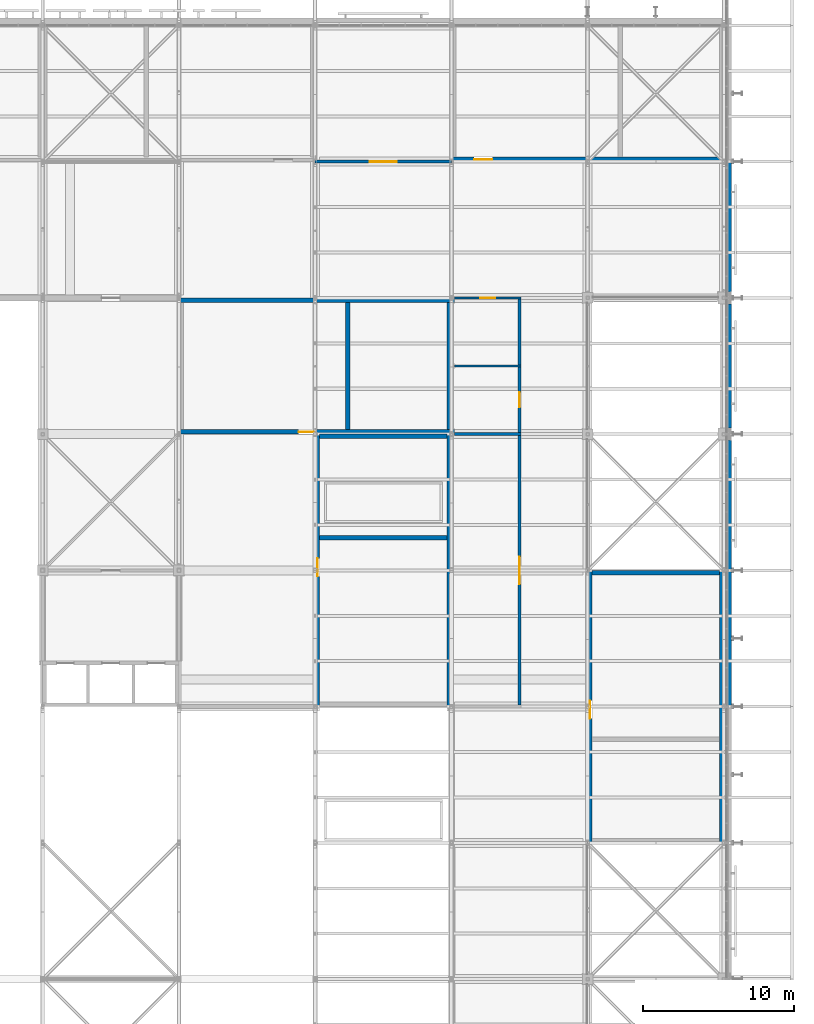
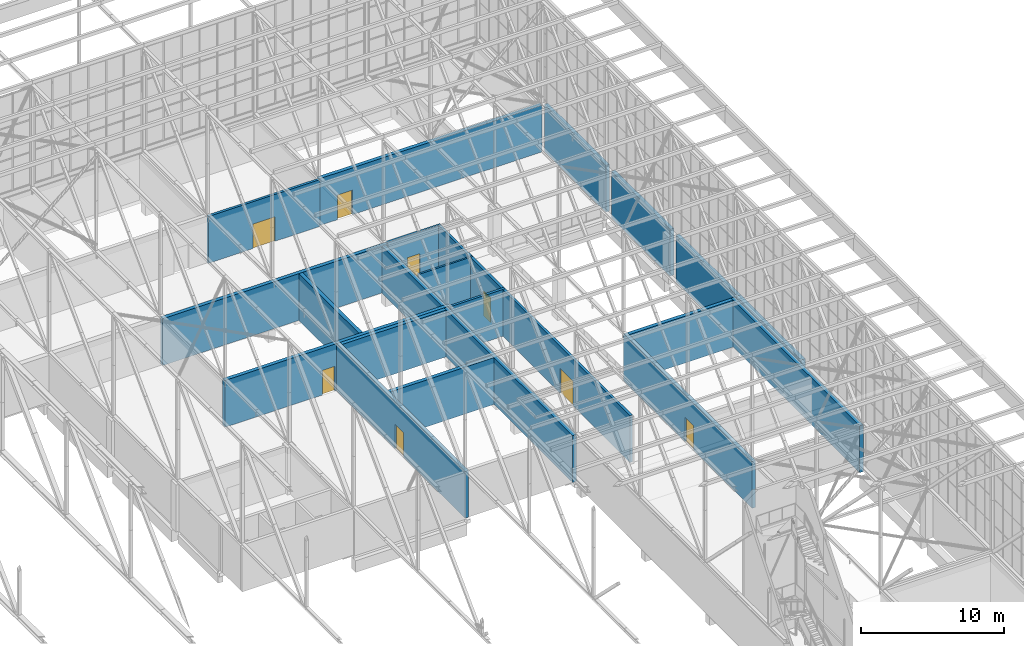
# One storey, part 173 of 646: 23 walls, 8 doors, 8 openings.
"""IFC4 building model written with IfcOpenShell, lengths in metres."""

from ifc_helpers import new_model, si_unit, direction, frame, frame_2d, origin, place, context, subcontext, project, spatial, rectangle, extrude, material, layer, layer_set, type_object, element, fill, save


model = new_model("IFC4")

# Units and contexts
model_context = context("Model", 3, precision=1e-05, world=origin(), true_north=direction((0.0, 1.0)))
body_context = subcontext(model_context, "Body", "Model", "MODEL_VIEW")
ifc_project = project(units=[si_unit("LENGTHUNIT", "METRE"), si_unit("AREAUNIT", "SQUARE_METRE"), si_unit("VOLUMEUNIT", "CUBIC_METRE"), si_unit("PLANEANGLEUNIT", "RADIAN"), si_unit("MASSUNIT", "GRAM", prefix="KILO")], contexts=[model_context])

# Site, building, storey
site_placement = place(None, origin())
site = spatial("IfcSite", under=ifc_project, at=site_placement, CompositionType="ELEMENT")
building_placement = place(site_placement, origin())
building = spatial("IfcBuilding", under=site, at=building_placement, Name="Silverbay Arena", CompositionType="ELEMENT")
storey_placement = place(building_placement, frame((0.0, 0.0, 33.5)))
storey = spatial("IfcBuildingStorey", under=building, at=storey_placement, Name="L05", CompositionType="ELEMENT", Elevation=33.5)

# Walls
ifc_material_1 = material(Name="Anodised aluminium cladding on insulated backing", Category="aluminium")
ifc_layer_1 = layer(ifc_material_1, 0.300048828125)
ifc_layer_set_1 = layer_set([ifc_layer_1], Name="Anodised aluminium cladding on insulated backing")
wall_type_1 = type_object("IfcWallType", Name="Aluminium clad wall 300", PredefinedType="SOLIDWALL", material=ifc_layer_set_1)
wall_1_placement = place(storey_placement, frame((207.35009765625, 108.0, 0.0), z_axis=(0.0, 0.0, 1.0), x_axis=(0.0, 1.0, 0.0)))
element("IfcWall", 1, at=wall_1_placement, inside=storey, type_object=wall_type_1, Name="East external wall L05 bay 11", PredefinedType="SOLIDWALL", context=body_context, shape_type="SweptSolid", body=[
    extrude(rectangle(XDim=8.60009765625, YDim=0.300048828125, at=frame_2d((4.300048828125, 0.0))), origin(), (0.0, 0.0, 1.0), 4.0),
])
wall_2_placement = place(storey_placement, frame((207.35009765625, 117.39990234375, 0.0), z_axis=(0.0, 0.0, 1.0), x_axis=(0.0, 1.0, 0.0)))
element("IfcWall", 2, at=wall_2_placement, inside=storey, type_object=wall_type_1, Name="East external wall L05 bay 12", PredefinedType="SOLIDWALL", context=body_context, shape_type="SweptSolid", body=[
    extrude(rectangle(XDim=8.2001953125, YDim=0.300048828125, at=frame_2d((4.10009765625, 0.0))), origin(), (0.0, 0.0, 1.0), 4.0),
])
wall_3_placement = place(storey_placement, frame((207.35009765625, 126.39990234375, 0.0), z_axis=(0.0, 0.0, 1.0), x_axis=(0.0, 1.0, 0.0)))
element("IfcWall", 3, at=wall_3_placement, inside=storey, type_object=wall_type_1, Name="East external wall L05 bay 13", PredefinedType="SOLIDWALL", context=body_context, shape_type="SweptSolid", body=[
    extrude(rectangle(XDim=8.60009765625, YDim=0.300048828125, at=frame_2d((4.300048828125, 0.0))), origin(), (0.0, 0.0, 1.0), 4.0),
])

# Wall, opening, door
ifc_material_2 = material(Name="Concrete Grade C45", Category="concrete")
ifc_layer_2 = layer(ifc_material_2, 0.300048828125)
ifc_layer_set_2 = layer_set([ifc_layer_2], Name="Concrete Grade C45")
wall_type_2 = type_object("IfcWallType", Name="Core wall RC 300 EI 120", PredefinedType="SHEAR", material=ifc_layer_set_2)
wall_4_placement = place(storey_placement, frame((189.0, 135.14990234375, 0.0), z_axis=(0.0, 0.0, 1.0), x_axis=(1.0, 0.0, 0.0)))
wall_4 = element("IfcWall", 4, at=wall_4_placement, inside=storey, type_object=wall_type_2, Name="Core wall ST-N6 L05 door side", PredefinedType="SHEAR", context=body_context, shape_type="SweptSolid", body=[
    extrude(rectangle(XDim=18.0, YDim=0.300048828125, at=frame_2d((9.0, 0.0))), origin(), (0.0, 0.0, 1.0), 4.0),
])
opening_1_placement = place(wall_4_placement, frame((1.5, 0.0, 0.0)))
opening_1 = element("IfcOpeningElement", 5, at=opening_1_placement, cuts=wall_4, Name="Opening L05-038", PredefinedType="OPENING", context=body_context, shape_type="SweptSolid", body=[
    extrude(rectangle(XDim=1.199951171875, YDim=2.10009765625, at=frame_2d((0.60009765625, 1.050048828125))), frame((0.0, 0.16015625, 0.0), z_axis=(0.0, -1.0, 0.0), x_axis=(1.0, 0.0, 0.0)), (0.0, 0.0, 1.0), 0.320068359375),
])
ifc_material_3 = material(Name="Steel fire door", Category="steel")
door_type_1 = type_object("IfcDoorType", Name="Stair door 1200 x 2100 fire door", OperationType="SINGLE_SWING_LEFT", PredefinedType="DOOR", material=ifc_material_3)
door_1_placement = place(opening_1_placement, origin())
door_1 = element("IfcDoor", 6, at=door_1_placement, inside=storey, type_object=door_type_1, Name="Stair door ST-N6 L05", OperationType="SINGLE_SWING_LEFT", OverallHeight=2.10009765625, OverallWidth=1.199951171875, PredefinedType="DOOR", context=body_context, shape_type="SweptSolid", body=[
    extrude(rectangle(XDim=1.199951171875, YDim=2.10009765625, at=frame_2d((0.60009765625, 1.050048828125))), frame((0.0, 0.02490234375, 0.0), z_axis=(0.0, -1.0, 0.0), x_axis=(1.0, 0.0, 0.0)), (0.0, 0.0, 1.0), 0.050048828125),
])
fill(opening_1, door_1)

wall_5_placement = place(storey_placement, frame((198.14990234375, 108.0, 0.0), z_axis=(0.0, 0.0, 1.0), x_axis=(0.0, -1.0, 0.0)))
wall_5 = element("IfcWall", 7, at=wall_5_placement, inside=storey, type_object=wall_type_2, Name="Core wall ST-E2 L05 door side", PredefinedType="SHEAR", context=body_context, shape_type="SweptSolid", body=[
    extrude(rectangle(XDim=18.0, YDim=0.300048828125, at=frame_2d((9.0, 0.0))), origin(), (0.0, 0.0, 1.0), 4.0),
])
opening_2_placement = place(wall_5_placement, frame((8.60009765625, 0.0, 0.0)))
opening_2 = element("IfcOpeningElement", 8, at=opening_2_placement, cuts=wall_5, Name="Opening L05-042", PredefinedType="OPENING", context=body_context, shape_type="SweptSolid", body=[
    extrude(rectangle(XDim=1.199951171875, YDim=2.10009765625, at=frame_2d((0.60009765625, 1.050048828125))), frame((0.0, 0.16015625, 0.0), z_axis=(0.0, -1.0, 0.0), x_axis=(1.0, 0.0, 0.0)), (0.0, 0.0, 1.0), 0.320068359375),
])
door_2_placement = place(opening_2_placement, origin())
door_2 = element("IfcDoor", 9, at=door_2_placement, inside=storey, type_object=door_type_1, Name="Stair door ST-E2 L05", OperationType="SINGLE_SWING_RIGHT", OverallHeight=2.10009765625, OverallWidth=1.199951171875, PredefinedType="DOOR", context=body_context, shape_type="SweptSolid", body=[
    extrude(rectangle(XDim=1.199951171875, YDim=2.10009765625, at=frame_2d((0.60009765625, 1.050048828125))), frame((0.0, 0.02490234375, 0.0), z_axis=(0.0, -1.0, 0.0), x_axis=(1.0, 0.0, 0.0)), (0.0, 0.0, 1.0), 0.050048828125),
])
fill(opening_2, door_2)

# Walls
wall_6_placement = place(storey_placement, frame((206.85009765625, 108.0, 0.0), z_axis=(0.0, 0.0, 1.0), x_axis=(0.0, -1.0, 0.0)))
element("IfcWall", 10, at=wall_6_placement, inside=storey, type_object=wall_type_2, Name="Core wall ST-E2 L05 far side", PredefinedType="SHEAR", context=body_context, shape_type="SweptSolid", body=[
    extrude(rectangle(XDim=18.0, YDim=0.300048828125, at=frame_2d((9.0, 0.0))), origin(), (0.0, 0.0, 1.0), 4.0),
])
wall_7_placement = place(storey_placement, frame((198.300048828125, 107.85009765625, 0.0), z_axis=(0.0, 0.0, 1.0), x_axis=(1.0, 0.0, 0.0)))
element("IfcWall", 11, at=wall_7_placement, inside=storey, type_object=wall_type_2, Name="Core wall ST-E2 L05 end 1", PredefinedType="SHEAR", context=body_context, shape_type="SweptSolid", body=[
    extrude(rectangle(XDim=8.39990234375, YDim=0.300048828125, at=frame_2d((4.199951171875, 0.0))), origin(), (0.0, 0.0, 1.0), 4.0),
])

# Wall, opening, door
wall_8_placement = place(storey_placement, frame((171.0, 117.14990234375, 0.0), z_axis=(0.0, 0.0, 1.0), x_axis=(1.0, 0.0, 0.0)))
wall_8 = element("IfcWall", 12, at=wall_8_placement, inside=storey, type_object=wall_type_2, Name="Core wall ST-NE1 L05 door side", PredefinedType="SHEAR", context=body_context, shape_type="SweptSolid", body=[
    extrude(rectangle(XDim=18.199951171875, YDim=0.300048828125, at=frame_2d((9.10009765625, 0.0))), origin(), (0.0, 0.0, 1.0), 4.0),
])
opening_3_placement = place(wall_8_placement, frame((7.89990234375, 0.0, 0.0)))
opening_3 = element("IfcOpeningElement", 13, at=opening_3_placement, cuts=wall_8, Name="Opening L05-049", PredefinedType="OPENING", context=body_context, shape_type="SweptSolid", body=[
    extrude(rectangle(XDim=1.0, YDim=2.10009765625, at=frame_2d((0.5, 1.050048828125))), frame((0.0, 0.16015625, 0.0), z_axis=(0.0, -1.0, 0.0), x_axis=(1.0, 0.0, 0.0)), (0.0, 0.0, 1.0), 0.320068359375),
])
ifc_material_4 = material(Name="Steel fire door", Category="steel")
door_type_2 = type_object("IfcDoorType", Name="Stair door 1000 x 2100 fire door", OperationType="SINGLE_SWING_LEFT", PredefinedType="DOOR", material=ifc_material_4)
door_3_placement = place(opening_3_placement, origin())
door_3 = element("IfcDoor", 14, at=door_3_placement, inside=storey, type_object=door_type_2, Name="Stair door ST-NE1 L05", OperationType="SINGLE_SWING_LEFT", OverallHeight=2.10009765625, OverallWidth=1.0, PredefinedType="DOOR", context=body_context, shape_type="SweptSolid", body=[
    extrude(rectangle(XDim=1.0, YDim=2.10009765625, at=frame_2d((0.5, 1.050048828125))), frame((0.0, 0.02490234375, 0.0), z_axis=(0.0, -1.0, 0.0), x_axis=(1.0, 0.0, 0.0)), (0.0, 0.0, 1.0), 0.050048828125),
])
fill(opening_3, door_3)

# Walls
wall_9_placement = place(storey_placement, frame((171.0, 125.85009765625, 0.0), z_axis=(0.0, 0.0, 1.0), x_axis=(1.0, 0.0, 0.0)))
element("IfcWall", 15, at=wall_9_placement, inside=storey, type_object=wall_type_2, Name="Core wall ST-NE1 L05 far side", PredefinedType="SHEAR", context=body_context, shape_type="SweptSolid", body=[
    extrude(rectangle(XDim=18.199951171875, YDim=0.300048828125, at=frame_2d((9.10009765625, 0.0))), origin(), (0.0, 0.0, 1.0), 4.0),
])
for number, where, z_axis, x_axis, name in (
    (16, (188.85009765625, 117.300048828125, 0.0), (0.0, 0.0, 1.0), (0.0, 1.0, 0.0), "Core wall ST-NE1 L05 end 2"),
    (17, (182.14990234375, 117.300048828125, 0.0), (0.0, 0.0, 1.0), (0.0, 1.0, 0.0), "Core wall ST-NE1 L05 stair enclosure"),
):
    element("IfcWall", number, at=place(storey_placement, frame(where, z_axis=z_axis, x_axis=x_axis)), inside=storey, type_object=wall_type_2, Name=name, PredefinedType="SHEAR", context=body_context, shape_type="SweptSolid", body=[
        extrude(rectangle(XDim=8.39990234375, YDim=0.300048828125, at=frame_2d((4.199951171875, 0.0))), origin(), (0.0, 0.0, 1.0), 4.0),
    ])

# Wall, opening, door
wall_10_placement = place(storey_placement, frame((180.14990234375, 99.0, 0.0), z_axis=(0.0, 0.0, 1.0), x_axis=(0.0, 1.0, 0.0)))
wall_10 = element("IfcWall", 18, at=wall_10_placement, inside=storey, type_object=wall_type_2, Name="Core wall ST-NE2 L05 door side", PredefinedType="SHEAR", context=body_context, shape_type="SweptSolid", body=[
    extrude(rectangle(XDim=18.0, YDim=0.300048828125, at=frame_2d((9.0, 0.0))), origin(), (0.0, 0.0, 1.0), 4.0),
])
opening_4_placement = place(wall_10_placement, frame((8.60009765625, 0.0, 0.0)))
opening_4 = element("IfcOpeningElement", 19, at=opening_4_placement, cuts=wall_10, Name="Opening L05-050", PredefinedType="OPENING", context=body_context, shape_type="SweptSolid", body=[
    extrude(rectangle(XDim=1.199951171875, YDim=2.10009765625, at=frame_2d((0.60009765625, 1.050048828125))), frame((0.0, 0.16015625, 0.0), z_axis=(0.0, -1.0, 0.0), x_axis=(1.0, 0.0, 0.0)), (0.0, 0.0, 1.0), 0.320068359375),
])
door_4_placement = place(opening_4_placement, frame((1.199951171875, 0.0, 0.0), z_axis=(0.0, 0.0, 1.0), x_axis=(-1.0, 0.0, 0.0)))
door_4 = element("IfcDoor", 20, at=door_4_placement, inside=storey, type_object=door_type_1, Name="Stair door ST-NE2 L05", OperationType="SINGLE_SWING_LEFT", OverallHeight=2.10009765625, OverallWidth=1.199951171875, PredefinedType="DOOR", context=body_context, shape_type="SweptSolid", body=[
    extrude(rectangle(XDim=1.199951171875, YDim=2.10009765625, at=frame_2d((0.60009765625, 1.050048828125))), frame((0.0, 0.02490234375, 0.0), z_axis=(0.0, -1.0, 0.0), x_axis=(1.0, 0.0, 0.0)), (0.0, 0.0, 1.0), 0.050048828125),
])
fill(opening_4, door_4)

# Walls
wall_11_placement = place(storey_placement, frame((188.85009765625, 99.0, 0.0), z_axis=(0.0, 0.0, 1.0), x_axis=(0.0, 1.0, 0.0)))
element("IfcWall", 21, at=wall_11_placement, inside=storey, type_object=wall_type_2, Name="Core wall ST-NE2 L05 far side", PredefinedType="SHEAR", context=body_context, shape_type="SweptSolid", body=[
    extrude(rectangle(XDim=18.0, YDim=0.300048828125, at=frame_2d((9.0, 0.0))), origin(), (0.0, 0.0, 1.0), 4.0),
])
for number, where, z_axis, x_axis, name in (
    (22, (180.300048828125, 116.85009765625, 0.0), (0.0, 0.0, 1.0), (1.0, 0.0, 0.0), "Core wall ST-NE2 L05 end 2"),
    (23, (180.300048828125, 110.14990234375, 0.0), (0.0, 0.0, 1.0), (1.0, 0.0, 0.0), "Core wall ST-NE2 L05 stair enclosure"),
):
    element("IfcWall", number, at=place(storey_placement, frame(where, z_axis=z_axis, x_axis=x_axis)), inside=storey, type_object=wall_type_2, Name=name, PredefinedType="SHEAR", context=body_context, shape_type="SweptSolid", body=[
        extrude(rectangle(XDim=8.39990234375, YDim=0.300048828125, at=frame_2d((4.199951171875, 0.0))), origin(), (0.0, 0.0, 1.0), 4.0),
    ])
ifc_material_5 = material(Name="Gypsum board partition on steel studs", Category="steel")
ifc_layer_3 = layer(ifc_material_5, 0.14990234375)
ifc_layer_set_3 = layer_set([ifc_layer_3], Name="Gypsum board partition on steel studs")
wall_type_3 = type_object("IfcWallType", Name="Partition 150 EI 60", PredefinedType="PARTITIONING", material=ifc_layer_set_3)
wall_12_placement = place(storey_placement, frame((189.199951171875, 121.5, 0.0), z_axis=(0.0, 0.0, 1.0), x_axis=(1.0, 0.0, 0.0)))
element("IfcWall", 24, at=wall_12_placement, inside=storey, type_object=wall_type_3, Name="Partition wall", PredefinedType="PARTITIONING", context=body_context, shape_type="SweptSolid", body=[
    extrude(rectangle(XDim=4.400146484375, YDim=0.14990234375, at=frame_2d((2.2001953125, 0.0))), origin(), (0.0, 0.0, 1.0), 4.0),
])

# Wall, opening, door
wall_13_placement = place(storey_placement, frame((189.199951171875, 126.0, 0.0), z_axis=(0.0, 0.0, 1.0), x_axis=(1.0, 0.0, 0.0)))
wall_13 = element("IfcWall", 25, at=wall_13_placement, inside=storey, type_object=wall_type_3, Name="Partition wall", PredefinedType="PARTITIONING", context=body_context, shape_type="SweptSolid", body=[
    extrude(rectangle(XDim=4.400146484375, YDim=0.14990234375, at=frame_2d((2.2001953125, 0.0))), origin(), (0.0, 0.0, 1.0), 4.0),
])
opening_5_placement = place(wall_13_placement, frame((1.699951171875, 0.0, 0.0)))
opening_5 = element("IfcOpeningElement", 26, at=opening_5_placement, cuts=wall_13, Name="Opening L05-018", PredefinedType="OPENING", context=body_context, shape_type="SweptSolid", body=[
    extrude(rectangle(XDim=1.0, YDim=2.10009765625, at=frame_2d((0.5, 1.050048828125))), frame((0.0, 0.0849609375, 0.0), z_axis=(0.0, -1.0, 0.0), x_axis=(1.0, 0.0, 0.0)), (0.0, 0.0, 1.0), 0.169921875),
])
ifc_material_6 = material(Name="Steel faced timber", Category="steel")
door_type_3 = type_object("IfcDoorType", Name="Single leaf door 1000 x 2100 FD30S", OperationType="SINGLE_SWING_LEFT", PredefinedType="DOOR", material=ifc_material_6)
door_5_placement = place(opening_5_placement, frame((1.0, 0.0, 0.0), z_axis=(0.0, 0.0, 1.0), x_axis=(-1.0, 0.0, 0.0)))
door_5 = element("IfcDoor", 27, at=door_5_placement, inside=storey, type_object=door_type_3, Name="Door L05-018", OperationType="SINGLE_SWING_LEFT", OverallHeight=2.10009765625, OverallWidth=1.0, PredefinedType="DOOR", context=body_context, shape_type="SweptSolid", body=[
    extrude(rectangle(XDim=1.0, YDim=2.10009765625, at=frame_2d((0.5, 1.050048828125))), frame((0.0, 0.02490234375, 0.0), z_axis=(0.0, -1.0, 0.0), x_axis=(1.0, 0.0, 0.0)), (0.0, 0.0, 1.0), 0.050048828125),
])
fill(opening_5, door_5)

# Wall
ifc_material_7 = material(Name="Masonry blockwork partition", Category="masonry")
ifc_layer_4 = layer(ifc_material_7, 0.199951171875)
ifc_layer_set_4 = layer_set([ifc_layer_4], Name="Masonry blockwork partition")
wall_type_4 = type_object("IfcWallType", Name="Partition 200 EI 120", PredefinedType="PARTITIONING", material=ifc_layer_set_4)
wall_14_placement = place(storey_placement, frame((189.199951171875, 117.0, 0.0), z_axis=(0.0, 0.0, 1.0), x_axis=(1.0, 0.0, 0.0)))
element("IfcWall", 28, at=wall_14_placement, inside=storey, type_object=wall_type_4, Name="Partition wall", PredefinedType="PARTITIONING", context=body_context, shape_type="SweptSolid", body=[
    extrude(rectangle(XDim=4.400146484375, YDim=0.199951171875, at=frame_2d((2.2001953125, 0.0))), origin(), (0.0, 0.0, 1.0), 4.0),
])

# Wall, opening, door
wall_15_placement = place(storey_placement, frame((180.0, 135.0, 0.0), z_axis=(0.0, 0.0, 1.0), x_axis=(1.0, 0.0, 0.0)))
wall_15 = element("IfcWall", 29, at=wall_15_placement, inside=storey, type_object=wall_type_4, Name="Partition wall", PredefinedType="PARTITIONING", context=body_context, shape_type="SweptSolid", body=[
    extrude(rectangle(XDim=9.0, YDim=0.199951171875, at=frame_2d((4.5, 0.0))), origin(), (0.0, 0.0, 1.0), 4.0),
])
opening_6_placement = place(wall_15_placement, frame((3.60009765625, 0.0, 0.0)))
opening_6 = element("IfcOpeningElement", 30, at=opening_6_placement, cuts=wall_15, Name="Opening L05-006", PredefinedType="OPENING", context=body_context, shape_type="SweptSolid", body=[
    extrude(rectangle(XDim=1.800048828125, YDim=2.10009765625, at=frame_2d((0.89990234375, 1.050048828125))), frame((0.0, 0.10986328125, 0.0), z_axis=(0.0, -1.0, 0.0), x_axis=(1.0, 0.0, 0.0)), (0.0, 0.0, 1.0), 0.219970703125),
])
ifc_material_8 = material(Name="Steel faced timber", Category="steel")
door_type_4 = type_object("IfcDoorType", Name="Double leaf door 1800 x 2100 FD120", OperationType="DOUBLE_DOOR_DOUBLE_SWING", PredefinedType="DOOR", material=ifc_material_8)
door_6_placement = place(opening_6_placement, origin())
door_6 = element("IfcDoor", 31, at=door_6_placement, inside=storey, type_object=door_type_4, Name="Door L05-006", OperationType="DOUBLE_DOOR_DOUBLE_SWING", OverallHeight=2.10009765625, OverallWidth=1.800048828125, PredefinedType="DOOR", context=body_context, shape_type="SweptSolid", body=[
    extrude(rectangle(XDim=1.800048828125, YDim=2.10009765625, at=frame_2d((0.89990234375, 1.050048828125))), frame((0.0, 0.02490234375, 0.0), z_axis=(0.0, -1.0, 0.0), x_axis=(1.0, 0.0, 0.0)), (0.0, 0.0, 1.0), 0.050048828125),
])
fill(opening_6, door_6)

wall_16_placement = place(storey_placement, frame((193.5, 99.10009765625, 0.0), z_axis=(0.0, 0.0, 1.0), x_axis=(0.0, 1.0, 0.0)))
wall_16 = element("IfcWall", 32, at=wall_16_placement, inside=storey, type_object=wall_type_4, Name="Partition wall", PredefinedType="PARTITIONING", context=body_context, shape_type="SweptSolid", body=[
    extrude(rectangle(XDim=17.7998046875, YDim=0.199951171875, at=frame_2d((8.89990234375, 0.0))), origin(), (0.0, 0.0, 1.0), 4.0),
])
opening_7_placement = place(wall_16_placement, frame((8.0, 0.0, 0.0)))
opening_7 = element("IfcOpeningElement", 33, at=opening_7_placement, cuts=wall_16, Name="Opening L05-016", PredefinedType="OPENING", context=body_context, shape_type="SweptSolid", body=[
    extrude(rectangle(XDim=1.800048828125, YDim=2.10009765625, at=frame_2d((0.89990234375, 1.050048828125))), frame((0.0, 0.10986328125, 0.0), z_axis=(0.0, -1.0, 0.0), x_axis=(1.0, 0.0, 0.0)), (0.0, 0.0, 1.0), 0.219970703125),
])
door_7_placement = place(opening_7_placement, origin())
door_7 = element("IfcDoor", 34, at=door_7_placement, inside=storey, type_object=door_type_4, Name="Door L05-016", OperationType="DOUBLE_DOOR_DOUBLE_SWING", OverallHeight=2.10009765625, OverallWidth=1.800048828125, PredefinedType="DOOR", context=body_context, shape_type="SweptSolid", body=[
    extrude(rectangle(XDim=1.800048828125, YDim=2.10009765625, at=frame_2d((0.89990234375, 1.050048828125))), frame((0.0, 0.02490234375, 0.0), z_axis=(0.0, -1.0, 0.0), x_axis=(1.0, 0.0, 0.0)), (0.0, 0.0, 1.0), 0.050048828125),
])
fill(opening_7, door_7)

ifc_material_9 = material(Name="Gypsum board partition on steel studs", Category="steel")
ifc_layer_5 = layer(ifc_material_9, 0.199951171875)
ifc_layer_set_5 = layer_set([ifc_layer_5], Name="Gypsum board partition on steel studs")
wall_type_5 = type_object("IfcWallType", Name="Partition 200 EI 60", PredefinedType="PARTITIONING", material=ifc_layer_set_5)
wall_17_placement = place(storey_placement, frame((193.5, 117.10009765625, 0.0), z_axis=(0.0, 0.0, 1.0), x_axis=(0.0, 1.0, 0.0)))
wall_17 = element("IfcWall", 35, at=wall_17_placement, inside=storey, type_object=wall_type_5, Name="Partition wall", PredefinedType="PARTITIONING", context=body_context, shape_type="SweptSolid", body=[
    extrude(rectangle(XDim=4.324951171875, YDim=0.199951171875, at=frame_2d((2.16259765625, 0.0))), origin(), (0.0, 0.0, 1.0), 4.0),
])
opening_8_placement = place(wall_17_placement, frame((1.6630859375, 0.0, 0.0)))
opening_8 = element("IfcOpeningElement", 36, at=opening_8_placement, cuts=wall_17, Name="Opening L05-017", PredefinedType="OPENING", context=body_context, shape_type="SweptSolid", body=[
    extrude(rectangle(XDim=1.0, YDim=2.10009765625, at=frame_2d((0.5, 1.050048828125))), frame((0.0, 0.10986328125, 0.0), z_axis=(0.0, -1.0, 0.0), x_axis=(1.0, 0.0, 0.0)), (0.0, 0.0, 1.0), 0.219970703125),
])
door_8_placement = place(opening_8_placement, origin())
door_8 = element("IfcDoor", 37, at=door_8_placement, inside=storey, type_object=door_type_3, Name="Door L05-017", OperationType="SINGLE_SWING_LEFT", OverallHeight=2.10009765625, OverallWidth=1.0, PredefinedType="DOOR", context=body_context, shape_type="SweptSolid", body=[
    extrude(rectangle(XDim=1.0, YDim=2.10009765625, at=frame_2d((0.5, 1.050048828125))), frame((0.0, 0.02490234375, 0.0), z_axis=(0.0, -1.0, 0.0), x_axis=(1.0, 0.0, 0.0)), (0.0, 0.0, 1.0), 0.050048828125),
])
fill(opening_8, door_8)

# Walls
wall_18_placement = place(storey_placement, frame((193.5, 121.574951171875, 0.0), z_axis=(0.0, 0.0, 1.0), x_axis=(0.0, 1.0, 0.0)))
element("IfcWall", 38, at=wall_18_placement, inside=storey, type_object=wall_type_5, Name="Partition wall", PredefinedType="PARTITIONING", context=body_context, shape_type="SweptSolid", body=[
    extrude(rectangle(XDim=4.35009765625, YDim=0.199951171875, at=frame_2d((2.175048828125, 0.0))), origin(), (0.0, 0.0, 1.0), 4.0),
])
ifc_material_10 = material(Name="Concrete Grade C45", Category="concrete")
ifc_layer_6 = layer(ifc_material_10, 0.35009765625)
ifc_layer_set_6 = layer_set([ifc_layer_6], Name="Concrete Grade C45")
wall_type_6 = type_object("IfcWallType", Name="Stair core facade wall 350", PredefinedType="SOLIDWALL", material=ifc_layer_set_6)
wall_19_placement = place(storey_placement, frame((207.324951171875, 99.0, 0.0), z_axis=(0.0, 0.0, 1.0), x_axis=(0.0, 1.0, 0.0)))
element("IfcWall", 39, at=wall_19_placement, inside=storey, type_object=wall_type_6, Name="East external wall L05 bay 10", PredefinedType="SOLIDWALL", context=body_context, shape_type="SweptSolid", body=[
    extrude(rectangle(XDim=9.0, YDim=0.35009765625, at=frame_2d((4.5, 0.0))), origin(), (0.0, 0.0, 1.0), 4.0),
])

save(model, "model.ifc")
